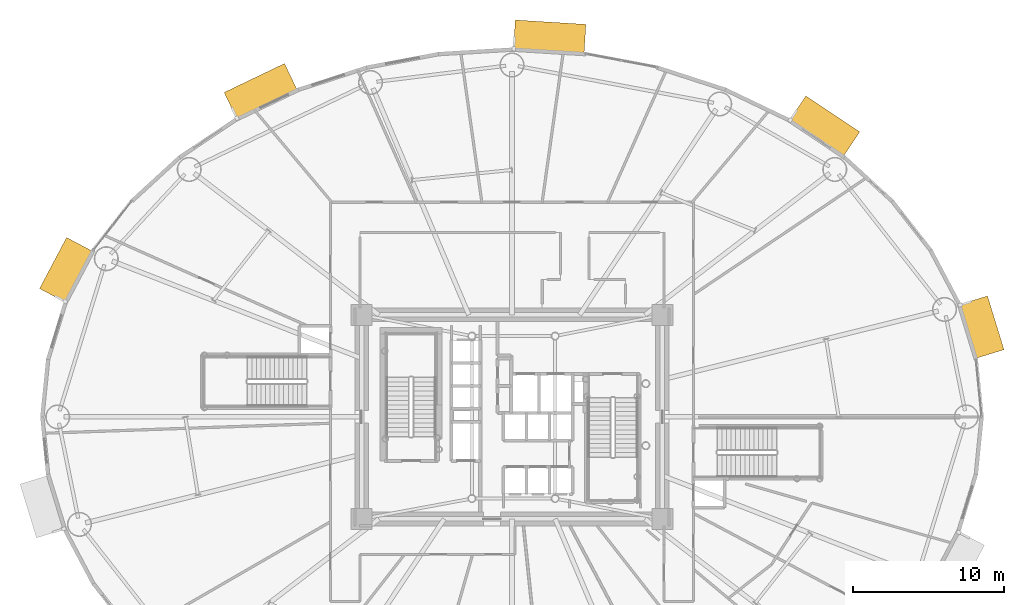
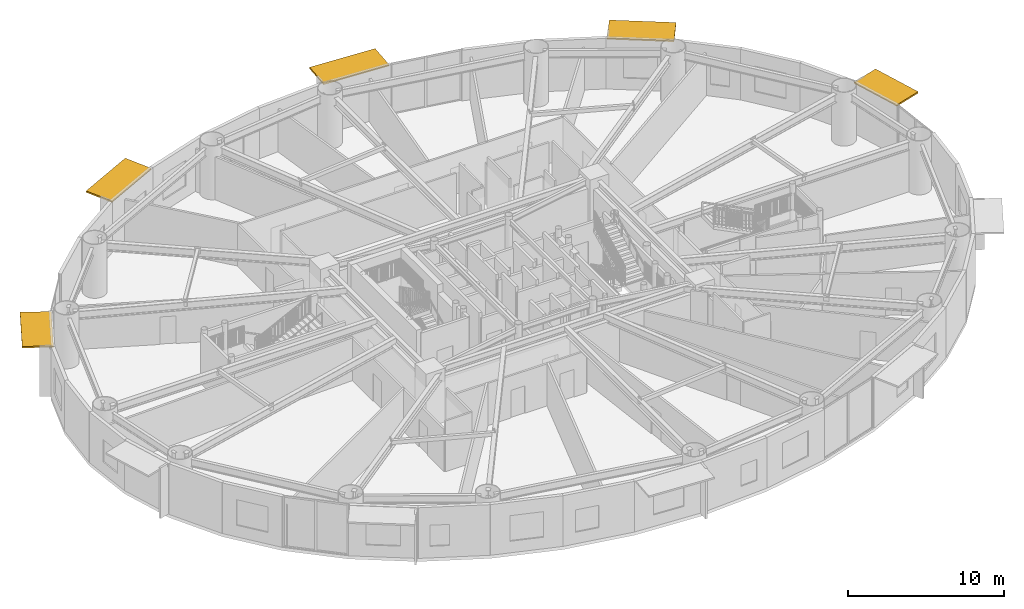
# One storey, part 32 of 32: 5 shading devices.
"""IFC4 building model written with IfcOpenShell, lengths in metres."""

from ifc_helpers import new_model, si_unit, direction, frame, origin, origin_2d, place, context, subcontext, project, spatial, rectangle, extrude, source, transform, mapped, material, layer, layer_set, type_object, element, save


model = new_model("IFC4")

# Units and contexts
model_context = context("Model", 3, precision=1e-05, world=origin(), true_north=direction((0.0, 1.0)))
body_context = subcontext(model_context, "Body", "Model", "MODEL_VIEW")
ifc_project = project(units=[si_unit("LENGTHUNIT", "METRE"), si_unit("AREAUNIT", "SQUARE_METRE"), si_unit("VOLUMEUNIT", "CUBIC_METRE"), si_unit("PLANEANGLEUNIT", "RADIAN"), si_unit("MASSUNIT", "GRAM", prefix="KILO")], contexts=[model_context])

# Site, building, storey
site_placement = place(None, origin())
site = spatial("IfcSite", under=ifc_project, at=site_placement, CompositionType="ELEMENT")
building_placement = place(site_placement, origin())
building = spatial("IfcBuilding", under=site, at=building_placement, Name="Linh Dai School and Residence Tower", CompositionType="ELEMENT")
storey_placement = place(building_placement, frame((0.0, 0.0, 53.39990234375)))
storey = spatial("IfcBuildingStorey", under=building, at=storey_placement, Name="L12", CompositionType="ELEMENT", Elevation=53.39990234375)

# Shading devices
ifc_material = material(Name="Terracotta Ceramic Sunshade", Category="masonry")
ifc_layer = layer(ifc_material, 0.1201171875)
ifc_layer_set = layer_set([ifc_layer], Name="Terracotta Ceramic Sunshade")
shading_device_type = type_object("IfcShadingDeviceType", Name="SHD-TC-2000", PredefinedType="USERDEFINED", material=ifc_layer_set)
shared_shape_1 = source(origin(), body_context, "Body", "SweptSolid", [
    extrude(rectangle(XDim=3.7197265625, YDim=2.0, at=origin_2d()), origin(), (0.0, 0.0, 1.0), 0.1201171875),
])
shading_device_1_placement = place(storey_placement, frame((67.043212890625, 32.9306640625, 3.81005859375), z_axis=(0.0, 0.0, 1.0), x_axis=(0.293145733514, -0.956067769001, 0.0)))
element("IfcShadingDevice", 1, at=shading_device_1_placement, inside=storey, type_object=shading_device_type, Name="L12 Terracotta Horizontal Sunshade Band 02", ObjectType="SUNSHADE", PredefinedType="USERDEFINED", context=body_context, shape_type="MappedRepresentation", body=[
    mapped(shared_shape_1, transform((0.0, 0.0, 0.0), x_axis=(1.0, 0.0, 0.0), y_axis=(0.0, 1.0, 0.0), z_axis=(0.0, 0.0, 1.0), scale=1.0)),
])
shared_shape_2 = source(origin(), body_context, "Body", "SweptSolid", [
    extrude(rectangle(XDim=4.28173828125, YDim=2.0, at=origin_2d()), origin(), (0.0, 0.0, 1.0), 0.1201171875),
])
shading_device_2_placement = place(storey_placement, frame((56.66455078125, 46.2138671875, 3.81005859375), z_axis=(0.0, 0.0, 1.0), x_axis=(0.831250578927, -0.555897899828, 0.0)))
element("IfcShadingDevice", 2, at=shading_device_2_placement, inside=storey, type_object=shading_device_type, Name="L12 Terracotta Horizontal Sunshade Band 06", ObjectType="SUNSHADE", PredefinedType="USERDEFINED", context=body_context, shape_type="MappedRepresentation", body=[
    mapped(shared_shape_2, transform((0.0, 0.0, 0.0), x_axis=(1.0, 0.0, 0.0), y_axis=(0.0, 1.0, 0.0), z_axis=(0.0, 0.0, 1.0), scale=1.0)),
])
shared_shape_3 = source(origin(), body_context, "Body", "SweptSolid", [
    extrude(rectangle(XDim=4.6796875, YDim=2.0, at=origin_2d()), origin(), (0.0, 0.0, 1.0), 0.1201171875),
])
shading_device_3_placement = place(storey_placement, frame((38.49169921875, 52.11328125, 3.81005859375), z_axis=(0.0, 0.0, 1.0), x_axis=(0.998106677027, -0.061506595367, 0.0)))
element("IfcShadingDevice", 3, at=shading_device_3_placement, inside=storey, type_object=shading_device_type, Name="L12 Terracotta Horizontal Sunshade Band 10", ObjectType="SUNSHADE", PredefinedType="USERDEFINED", context=body_context, shape_type="MappedRepresentation", body=[
    mapped(shared_shape_3, transform((0.0, 0.0, 0.0), x_axis=(1.0, 0.0, 0.0), y_axis=(0.0, 1.0, 0.0), z_axis=(0.0, 0.0, 1.0), scale=1.0)),
])
shared_shape_4 = source(origin(), body_context, "Body", "SweptSolid", [
    extrude(rectangle(XDim=4.428466796875, YDim=2.0, at=origin_2d()), origin(), (0.0, 0.0, 1.0), 0.1201171875),
])
shading_device_4_placement = place(storey_placement, frame((19.386962890625, 48.51904296875, 3.81005859375), z_axis=(0.0, 0.0, 1.0), x_axis=(0.901584514626, 0.432603008528, 0.0)))
element("IfcShadingDevice", 4, at=shading_device_4_placement, inside=storey, type_object=shading_device_type, Name="L12 Terracotta Horizontal Sunshade Band 14", ObjectType="SUNSHADE", PredefinedType="USERDEFINED", context=body_context, shape_type="MappedRepresentation", body=[
    mapped(shared_shape_4, transform((0.0, 0.0, 0.0), x_axis=(1.0, 0.0, 0.0), y_axis=(0.0, 1.0, 0.0), z_axis=(0.0, 0.0, 1.0), scale=1.0)),
])
shared_shape_5 = source(origin(), body_context, "Body", "SweptSolid", [
    extrude(rectangle(XDim=3.824462890625, YDim=2.0, at=origin_2d()), origin(), (0.0, 0.0, 1.0), 0.1201171875),
])
shading_device_5_placement = place(storey_placement, frame((6.525390625, 36.7109375, 3.81005859375), z_axis=(0.0, 0.0, 1.0), x_axis=(0.467611940042, 0.883933862645, 0.0)))
element("IfcShadingDevice", 5, at=shading_device_5_placement, inside=storey, type_object=shading_device_type, Name="L12 Terracotta Horizontal Sunshade Band 18", ObjectType="SUNSHADE", PredefinedType="USERDEFINED", context=body_context, shape_type="MappedRepresentation", body=[
    mapped(shared_shape_5, transform((0.0, 0.0, 0.0), x_axis=(1.0, 0.0, 0.0), y_axis=(0.0, 1.0, 0.0), z_axis=(0.0, 0.0, 1.0), scale=1.0)),
])

save(model, "model.ifc")
